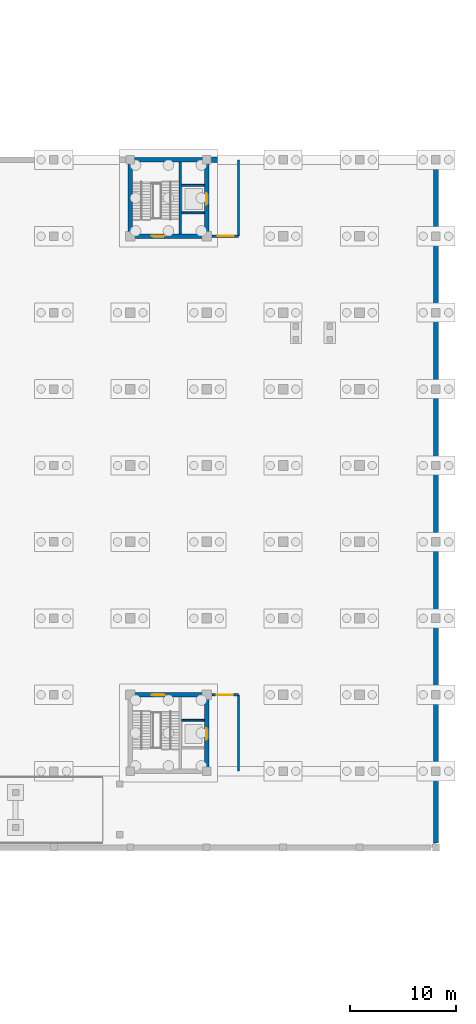
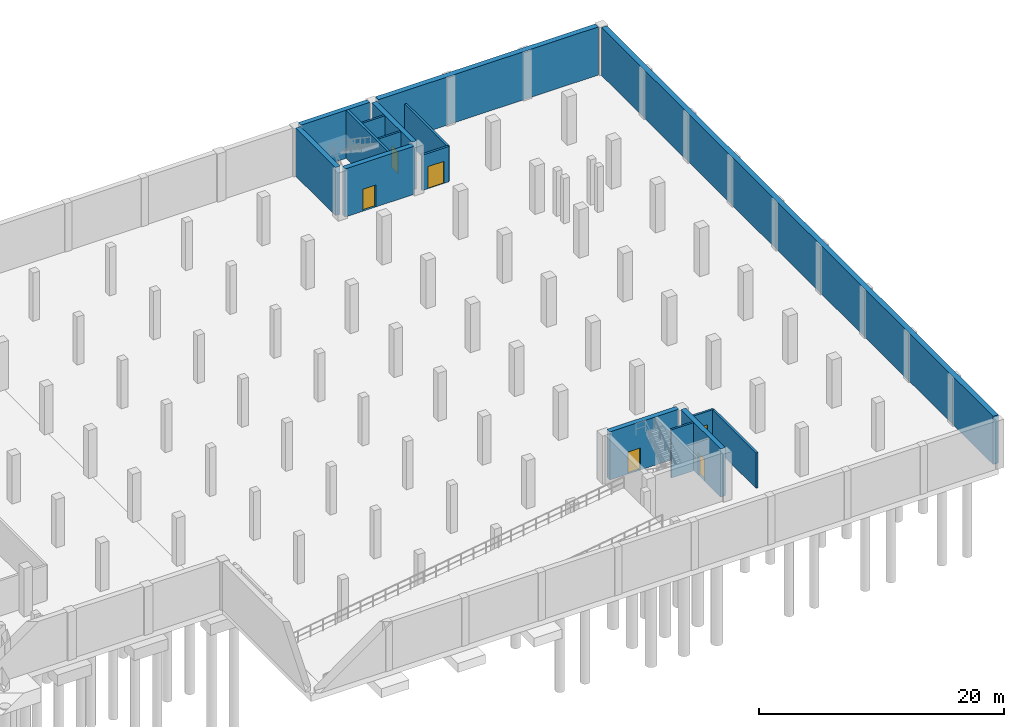
# One storey, part 14 of 19: 16 walls, 6 doors, 6 openings.
"""IFC4 building model written with IfcOpenShell, lengths in metres."""

from ifc_helpers import new_model, si_unit, direction, frame, frame_2d, origin, place, context, subcontext, project, spatial, rectangle, extrude, material, layer, layer_set, type_object, element, fill, save


model = new_model("IFC4")

# Units and contexts
model_context = context("Model", 3, precision=1e-05, world=origin(), true_north=direction((0.0, 1.0)))
body_context = subcontext(model_context, "Body", "Model", "MODEL_VIEW")
ifc_project = project(units=[si_unit("LENGTHUNIT", "METRE"), si_unit("AREAUNIT", "SQUARE_METRE"), si_unit("VOLUMEUNIT", "CUBIC_METRE"), si_unit("PLANEANGLEUNIT", "RADIAN"), si_unit("MASSUNIT", "GRAM", prefix="KILO")], contexts=[model_context])

# Site, building, storey
site_placement = place(None, origin())
site = spatial("IfcSite", under=ifc_project, at=site_placement, CompositionType="ELEMENT")
building_placement = place(site_placement, origin())
building = spatial("IfcBuilding", under=site, at=building_placement, Name="Qiaolan Assembly House", CompositionType="ELEMENT")
storey_placement = place(building_placement, frame((0.0, 0.0, -4.800048828125)))
storey = spatial("IfcBuildingStorey", under=building, at=storey_placement, Name="B1", CompositionType="ELEMENT", Elevation=-4.800048828125)

# Walls
ifc_material_1 = material(Name="Concrete C45/55", Category="concrete")
ifc_layer_1 = layer(ifc_material_1, 0.5)
ifc_layer_set_1 = layer_set([ifc_layer_1], Name="Concrete C45/55")
wall_type_1 = type_object("IfcWallType", Name="WAL-BSMT-500", PredefinedType="STANDARD", material=ifc_layer_set_1)
wall_1_placement = place(storey_placement, frame((151.64990234375, 86.39990234375, 0.0), z_axis=(0.0, 0.0, 1.0), x_axis=(1.0, 0.0, 0.0)))
element("IfcWall", 1, at=wall_1_placement, inside=storey, type_object=wall_type_1, Name="BW-500 basement retaining wall LIB-NE", PredefinedType="STANDARD", context=body_context, shape_type="SweptSolid", body=[
    extrude(rectangle(XDim=20.7001953125, YDim=0.5, at=frame_2d((10.35009765625, 0.0))), origin(), (0.0, 0.0, 1.0), 4.800048828125),
])
wall_2_placement = place(storey_placement, frame((172.800048828125, 85.949951171875, 0.0), z_axis=(0.0, 0.0, 1.0), x_axis=(0.0, -1.0, 0.0)))
element("IfcWall", 2, at=wall_2_placement, inside=storey, type_object=wall_type_1, Name="BW-500 basement retaining wall LIB-E", PredefinedType="STANDARD", context=body_context, shape_type="SweptSolid", body=[
    extrude(rectangle(XDim=63.89990234375, YDim=0.5, at=frame_2d((31.949951171875, 0.0))), origin(), (0.0, 0.0, 1.0), 4.800048828125),
])

# Wall, opening, door
ifc_material_2 = material(Name="Concrete C50/60", Category="concrete")
ifc_layer_2 = layer(ifc_material_2, 0.449951171875)
ifc_layer_set_2 = layer_set([ifc_layer_2], Name="Concrete C50/60")
wall_type_2 = type_object("IfcWallType", Name="WAL-CORE-450", PredefinedType="SHEAR", material=ifc_layer_set_2)
wall_3_placement = place(storey_placement, frame((151.199951171875, 29.14990234375, 0.0), z_axis=(0.0, 0.0, 1.0), x_axis=(0.0, 1.0, 0.0)))
wall_3 = element("IfcWall", 3, at=wall_3_placement, inside=storey, type_object=wall_type_2, Name="CW-450 shear core wall CORE-E E B1", PredefinedType="SHEAR", context=body_context, shape_type="SweptSolid", body=[
    extrude(rectangle(XDim=6.5, YDim=0.449951171875, at=frame_2d((3.25, 0.0))), origin(), (0.0, 0.0, 1.0), 4.800048828125),
])
opening_1_placement = place(wall_3_placement, frame((2.60009765625, 0.0, 0.0)))
opening_1 = element("IfcOpeningElement", 4, at=opening_1_placement, cuts=wall_3, Name="Opening LD-064", PredefinedType="OPENING", context=body_context, shape_type="SweptSolid", body=[
    extrude(rectangle(XDim=1.10009765625, YDim=2.199951171875, at=frame_2d((0.550048828125, 1.10009765625))), frame((0.0, 0.23486328125, 0.0), z_axis=(0.0, -1.0, 0.0), x_axis=(1.0, 0.0, 0.0)), (0.0, 0.0, 1.0), 0.469970703125),
])
ifc_material_3 = material(Name="Anodised bronze aluminium", Category="aluminium")
door_type_1 = type_object("IfcDoorType", Name="DOR-LIFT-LD1100", OperationType="SLIDING_TO_LEFT", PredefinedType="DOOR", material=ifc_material_3)
door_1_placement = place(opening_1_placement, origin())
door_1 = element("IfcDoor", 5, at=door_1_placement, inside=storey, type_object=door_type_1, Name="Lift landing door LD-064 (LF-09 B1)", OperationType="SLIDING_TO_LEFT", OverallHeight=2.199951171875, OverallWidth=1.10009765625, PredefinedType="DOOR", context=body_context, shape_type="SweptSolid", body=[
    extrude(rectangle(XDim=1.10009765625, YDim=2.199951171875, at=frame_2d((0.550048828125, 1.10009765625))), frame((0.0, 0.02490234375, 0.0), z_axis=(0.0, -1.0, 0.0), x_axis=(1.0, 0.0, 0.0)), (0.0, 0.0, 1.0), 0.050048828125),
])
fill(opening_1, door_1)

wall_4_placement = place(storey_placement, frame((150.85009765625, 36.0, 0.0), z_axis=(0.0, 0.0, 1.0), x_axis=(-1.0, 0.0, 0.0)))
wall_4 = element("IfcWall", 6, at=wall_4_placement, inside=storey, type_object=wall_type_2, Name="CW-450 shear core wall CORE-E N B1", PredefinedType="SHEAR", context=body_context, shape_type="SweptSolid", body=[
    extrude(rectangle(XDim=6.5, YDim=0.449951171875, at=frame_2d((3.25, 0.0))), origin(), (0.0, 0.0, 1.0), 4.800048828125),
])
opening_2_placement = place(wall_4_placement, frame((3.60009765625, 0.0, 0.0)))
opening_2 = element("IfcOpeningElement", 7, at=opening_2_placement, cuts=wall_4, Name="Opening FD-107", PredefinedType="OPENING", context=body_context, shape_type="SweptSolid", body=[
    extrude(rectangle(XDim=1.199951171875, YDim=2.199951171875, at=frame_2d((0.60009765625, 1.10009765625))), frame((0.0, 0.23486328125, 0.0), z_axis=(0.0, -1.0, 0.0), x_axis=(1.0, 0.0, 0.0)), (0.0, 0.0, 1.0), 0.469970703125),
])
ifc_material_4 = material(Name="Steel Q355B", Category="steel")
door_type_2 = type_object("IfcDoorType", Name="DOR-FIRE-FD90-1200", OperationType="NOTDEFINED", PredefinedType="DOOR", material=ifc_material_4)
door_2_placement = place(opening_2_placement, frame((1.199951171875, 0.0, 0.0), z_axis=(0.0, 0.0, 1.0), x_axis=(-1.0, 0.0, 0.0)))
door_2 = element("IfcDoor", 8, at=door_2_placement, inside=storey, type_object=door_type_2, Name="Stairwell fire door FD-107 (CORE-E B1)", OperationType="SINGLE_SWING_LEFT", OverallHeight=2.199951171875, OverallWidth=1.199951171875, PredefinedType="DOOR", context=body_context, shape_type="SweptSolid", body=[
    extrude(rectangle(XDim=1.199951171875, YDim=2.199951171875, at=frame_2d((0.60009765625, 1.10009765625))), frame((0.0, 0.02490234375, 0.0), z_axis=(0.0, -1.0, 0.0), x_axis=(1.0, 0.0, 0.0)), (0.0, 0.0, 1.0), 0.050048828125),
])
fill(opening_2, door_2)

wall_5_placement = place(storey_placement, frame((144.35009765625, 79.199951171875, 0.0), z_axis=(0.0, 0.0, 1.0), x_axis=(1.0, 0.0, 0.0)))
wall_5 = element("IfcWall", 9, at=wall_5_placement, inside=storey, type_object=wall_type_2, Name="CW-450 shear core wall CORE-F S B1", PredefinedType="SHEAR", context=body_context, shape_type="SweptSolid", body=[
    extrude(rectangle(XDim=6.5, YDim=0.449951171875, at=frame_2d((3.25, 0.0))), origin(), (0.0, 0.0, 1.0), 4.800048828125),
])
opening_3_placement = place(wall_5_placement, frame((1.699951171875, 0.0, 0.0)))
opening_3 = element("IfcOpeningElement", 10, at=opening_3_placement, cuts=wall_5, Name="Opening FD-125", PredefinedType="OPENING", context=body_context, shape_type="SweptSolid", body=[
    extrude(rectangle(XDim=1.199951171875, YDim=2.199951171875, at=frame_2d((0.60009765625, 1.10009765625))), frame((0.0, 0.23486328125, 0.0), z_axis=(0.0, -1.0, 0.0), x_axis=(1.0, 0.0, 0.0)), (0.0, 0.0, 1.0), 0.469970703125),
])
door_3_placement = place(opening_3_placement, frame((1.199951171875, 0.0, 0.0), z_axis=(0.0, 0.0, 1.0), x_axis=(-1.0, 0.0, 0.0)))
door_3 = element("IfcDoor", 11, at=door_3_placement, inside=storey, type_object=door_type_2, Name="Stairwell fire door FD-125 (CORE-F B1)", OperationType="SINGLE_SWING_RIGHT", OverallHeight=2.199951171875, OverallWidth=1.199951171875, PredefinedType="DOOR", context=body_context, shape_type="SweptSolid", body=[
    extrude(rectangle(XDim=1.199951171875, YDim=2.199951171875, at=frame_2d((0.60009765625, 1.10009765625))), frame((0.0, 0.02490234375, 0.0), z_axis=(0.0, -1.0, 0.0), x_axis=(1.0, 0.0, 0.0)), (0.0, 0.0, 1.0), 0.050048828125),
])
fill(opening_3, door_3)

wall_6_placement = place(storey_placement, frame((151.199951171875, 79.550048828125, 0.0), z_axis=(0.0, 0.0, 1.0), x_axis=(0.0, 1.0, 0.0)))
wall_6 = element("IfcWall", 12, at=wall_6_placement, inside=storey, type_object=wall_type_2, Name="CW-450 shear core wall CORE-F E B1", PredefinedType="SHEAR", context=body_context, shape_type="SweptSolid", body=[
    extrude(rectangle(XDim=6.5, YDim=0.449951171875, at=frame_2d((3.25, 0.0))), origin(), (0.0, 0.0, 1.0), 4.800048828125),
])
opening_4_placement = place(wall_6_placement, frame((2.60009765625, 0.0, 0.0)))
opening_4 = element("IfcOpeningElement", 13, at=opening_4_placement, cuts=wall_6, Name="Opening LD-069", PredefinedType="OPENING", context=body_context, shape_type="SweptSolid", body=[
    extrude(rectangle(XDim=1.10009765625, YDim=2.199951171875, at=frame_2d((0.550048828125, 1.10009765625))), frame((0.0, 0.23486328125, 0.0), z_axis=(0.0, -1.0, 0.0), x_axis=(1.0, 0.0, 0.0)), (0.0, 0.0, 1.0), 0.469970703125),
])
door_4_placement = place(opening_4_placement, origin())
door_4 = element("IfcDoor", 14, at=door_4_placement, inside=storey, type_object=door_type_1, Name="Lift landing door LD-069 (LF-10 B1)", OperationType="SLIDING_TO_LEFT", OverallHeight=2.199951171875, OverallWidth=1.10009765625, PredefinedType="DOOR", context=body_context, shape_type="SweptSolid", body=[
    extrude(rectangle(XDim=1.10009765625, YDim=2.199951171875, at=frame_2d((0.550048828125, 1.10009765625))), frame((0.0, 0.02490234375, 0.0), z_axis=(0.0, -1.0, 0.0), x_axis=(1.0, 0.0, 0.0)), (0.0, 0.0, 1.0), 0.050048828125),
])
fill(opening_4, door_4)

# Walls
for number, where, z_axis, x_axis, name in (
    (15, (150.85009765625, 86.39990234375, 0.0), (0.0, 0.0, 1.0), (-1.0, 0.0, 0.0), "CW-450 shear core wall CORE-F N B1"),
    (16, (144.0, 86.050048828125, 0.0), (0.0, 0.0, 1.0), (0.0, -1.0, 0.0), "CW-450 shear core wall CORE-F W B1"),
):
    element("IfcWall", number, at=place(storey_placement, frame(where, z_axis=z_axis, x_axis=x_axis)), inside=storey, type_object=wall_type_2, Name=name, PredefinedType="SHEAR", context=body_context, shape_type="SweptSolid", body=[
        extrude(rectangle(XDim=6.5, YDim=0.449951171875, at=frame_2d((3.25, 0.0))), origin(), (0.0, 0.0, 1.0), 4.800048828125),
    ])
ifc_material_5 = material(Name="Concrete C35/45", Category="concrete")
ifc_layer_3 = layer(ifc_material_5, 0.199951171875)
ifc_layer_set_3 = layer_set([ifc_layer_3], Name="Concrete C35/45")
wall_type_3 = type_object("IfcWallType", Name="WAL-LOBBY-200", PredefinedType="PARTITIONING", material=ifc_layer_set_3)
wall_7_placement = place(storey_placement, frame((154.199951171875, 28.800048828125, 0.0), z_axis=(0.0, 0.0, 1.0), x_axis=(0.0, 1.0, 0.0)))
element("IfcWall", 17, at=wall_7_placement, inside=storey, type_object=wall_type_3, Name="Firefighting lift lobby east wall CORE-E B1", PredefinedType="PARTITIONING", context=body_context, shape_type="SweptSolid", body=[
    extrude(rectangle(XDim=7.199951171875, YDim=0.199951171875, at=frame_2d((3.60009765625, 0.0))), origin(), (0.0, 0.0, 1.0), 3.52001953125),
])

# Wall, opening, door
wall_8_placement = place(storey_placement, frame((154.199951171875, 36.0, 0.0), z_axis=(0.0, 0.0, 1.0), x_axis=(-1.0, 0.0, 0.0)))
wall_8 = element("IfcWall", 18, at=wall_8_placement, inside=storey, type_object=wall_type_3, Name="Firefighting lift lobby north wall CORE-E B1", PredefinedType="PARTITIONING", context=body_context, shape_type="SweptSolid", body=[
    extrude(rectangle(XDim=2.52001953125, YDim=0.199951171875, at=frame_2d((1.260009765625, 0.0))), origin(), (0.0, 0.0, 1.0), 3.52001953125),
])
opening_5_placement = place(wall_8_placement, frame((0.550048828125, 0.0, 0.0)))
opening_5 = element("IfcOpeningElement", 19, at=opening_5_placement, cuts=wall_8, Name="Opening FD-108", PredefinedType="OPENING", context=body_context, shape_type="SweptSolid", body=[
    extrude(rectangle(XDim=1.5, YDim=2.199951171875, at=frame_2d((0.75, 1.10009765625))), frame((0.0, 0.10986328125, 0.0), z_axis=(0.0, -1.0, 0.0), x_axis=(1.0, 0.0, 0.0)), (0.0, 0.0, 1.0), 0.219970703125),
])
ifc_material_6 = material(Name="Acoustic oak panelling")
door_type_3 = type_object("IfcDoorType", Name="DOR-LOBBY-FD60-1500", OperationType="DOUBLE_DOOR_SINGLE_SWING", PredefinedType="DOOR", material=ifc_material_6)
door_5_placement = place(opening_5_placement, frame((1.5, 0.0, 0.0), z_axis=(0.0, 0.0, 1.0), x_axis=(-1.0, 0.0, 0.0)))
door_5 = element("IfcDoor", 20, at=door_5_placement, inside=storey, type_object=door_type_3, Name="Lobby corridor fire door FD-108", OperationType="DOUBLE_DOOR_SINGLE_SWING", OverallHeight=2.199951171875, OverallWidth=1.5, PredefinedType="DOOR", context=body_context, shape_type="SweptSolid", body=[
    extrude(rectangle(XDim=1.5, YDim=2.199951171875, at=frame_2d((0.75, 1.10009765625))), frame((0.0, 0.02490234375, 0.0), z_axis=(0.0, -1.0, 0.0), x_axis=(1.0, 0.0, 0.0)), (0.0, 0.0, 1.0), 0.050048828125),
])
fill(opening_5, door_5)

# Wall
wall_9_placement = place(storey_placement, frame((154.199951171875, 79.199951171875, 0.0), z_axis=(0.0, 0.0, 1.0), x_axis=(0.0, 1.0, 0.0)))
element("IfcWall", 21, at=wall_9_placement, inside=storey, type_object=wall_type_3, Name="Firefighting lift lobby east wall CORE-F B1", PredefinedType="PARTITIONING", context=body_context, shape_type="SweptSolid", body=[
    extrude(rectangle(XDim=7.199951171875, YDim=0.199951171875, at=frame_2d((3.60009765625, 0.0))), origin(), (0.0, 0.0, 1.0), 3.52001953125),
])

# Wall, opening, door
wall_10_placement = place(storey_placement, frame((151.679931640625, 79.199951171875, 0.0), z_axis=(0.0, 0.0, 1.0), x_axis=(1.0, 0.0, 0.0)))
wall_10 = element("IfcWall", 22, at=wall_10_placement, inside=storey, type_object=wall_type_3, Name="Firefighting lift lobby south wall CORE-F B1", PredefinedType="PARTITIONING", context=body_context, shape_type="SweptSolid", body=[
    extrude(rectangle(XDim=2.52001953125, YDim=0.199951171875, at=frame_2d((1.260009765625, 0.0))), origin(), (0.0, 0.0, 1.0), 3.52001953125),
])
opening_6_placement = place(wall_10_placement, frame((0.550048828125, 0.0, 0.0)))
opening_6 = element("IfcOpeningElement", 23, at=opening_6_placement, cuts=wall_10, Name="Opening FD-126", PredefinedType="OPENING", context=body_context, shape_type="SweptSolid", body=[
    extrude(rectangle(XDim=1.5, YDim=2.199951171875, at=frame_2d((0.75, 1.10009765625))), frame((0.0, 0.10986328125, 0.0), z_axis=(0.0, -1.0, 0.0), x_axis=(1.0, 0.0, 0.0)), (0.0, 0.0, 1.0), 0.219970703125),
])
door_6_placement = place(opening_6_placement, frame((1.5, 0.0, 0.0), z_axis=(0.0, 0.0, 1.0), x_axis=(-1.0, 0.0, 0.0)))
door_6 = element("IfcDoor", 24, at=door_6_placement, inside=storey, type_object=door_type_3, Name="Lobby corridor fire door FD-126", OperationType="DOUBLE_DOOR_SINGLE_SWING", OverallHeight=2.199951171875, OverallWidth=1.5, PredefinedType="DOOR", context=body_context, shape_type="SweptSolid", body=[
    extrude(rectangle(XDim=1.5, YDim=2.199951171875, at=frame_2d((0.75, 1.10009765625))), frame((0.0, 0.02490234375, 0.0), z_axis=(0.0, -1.0, 0.0), x_axis=(1.0, 0.0, 0.0)), (0.0, 0.0, 1.0), 0.050048828125),
])
fill(opening_6, door_6)

# Walls
ifc_layer_4 = layer(ifc_material_5, 0.18505859375)
ifc_layer_set_4 = layer_set([ifc_layer_4], Name="Concrete C35/45")
wall_type_4 = type_object("IfcWallType", Name="WAL-SHAFT-200", PredefinedType="PARTITIONING", material=ifc_layer_set_4)
for number, where, z_axis, x_axis, name in (
    (25, (148.85009765625, 33.60009765625, 0.0), (0.0, 0.0, 1.0), (1.0, 0.0, 0.0), "SW-200 lift shaft wall LF-09 B1 DIVN"),
    (26, (148.85009765625, 81.39990234375, 0.0), (0.0, 0.0, 1.0), (1.0, 0.0, 0.0), "SW-200 lift shaft wall LF-10 B1 DIVS"),
    (27, (148.85009765625, 84.0, 0.0), (0.0, 0.0, 1.0), (1.0, 0.0, 0.0), "SW-200 lift shaft wall LF-10 B1 DIVN"),
):
    element("IfcWall", number, at=place(storey_placement, frame(where, z_axis=z_axis, x_axis=x_axis)), inside=storey, type_object=wall_type_4, Name=name, PredefinedType="PARTITIONING", context=body_context, shape_type="SweptSolid", body=[
        extrude(rectangle(XDim=2.099853515625, YDim=0.18505859375, at=frame_2d((1.0498046875, 0.0))), origin(), (0.0, 0.0, 1.0), 4.800048828125),
    ])
ifc_material_7 = material(Name="Concrete C40/50", Category="concrete")
ifc_layer_5 = layer(ifc_material_7, 0.22509765625)
ifc_layer_set_5 = layer_set([ifc_layer_5], Name="Concrete C40/50")
wall_type_5 = type_object("IfcWallType", Name="WAL-STAIR-DIV-225", PredefinedType="SHEAR", material=ifc_layer_set_5)
wall_11_placement = place(storey_placement, frame((148.719970703125, 79.419921875, 0.0), z_axis=(0.0, 0.0, 1.0), x_axis=(0.0, 1.0, 0.0)))
element("IfcWall", 28, at=wall_11_placement, inside=storey, type_object=wall_type_5, Name="SDW-225 stairwell structural spine wall CORE-F B1", PredefinedType="SHEAR", context=body_context, shape_type="SweptSolid", body=[
    extrude(rectangle(XDim=6.760009765625, YDim=0.22509765625, at=frame_2d((3.3798828125, 0.0))), origin(), (0.0, 0.0, 1.0), 4.800048828125),
])

save(model, "model.ifc")
